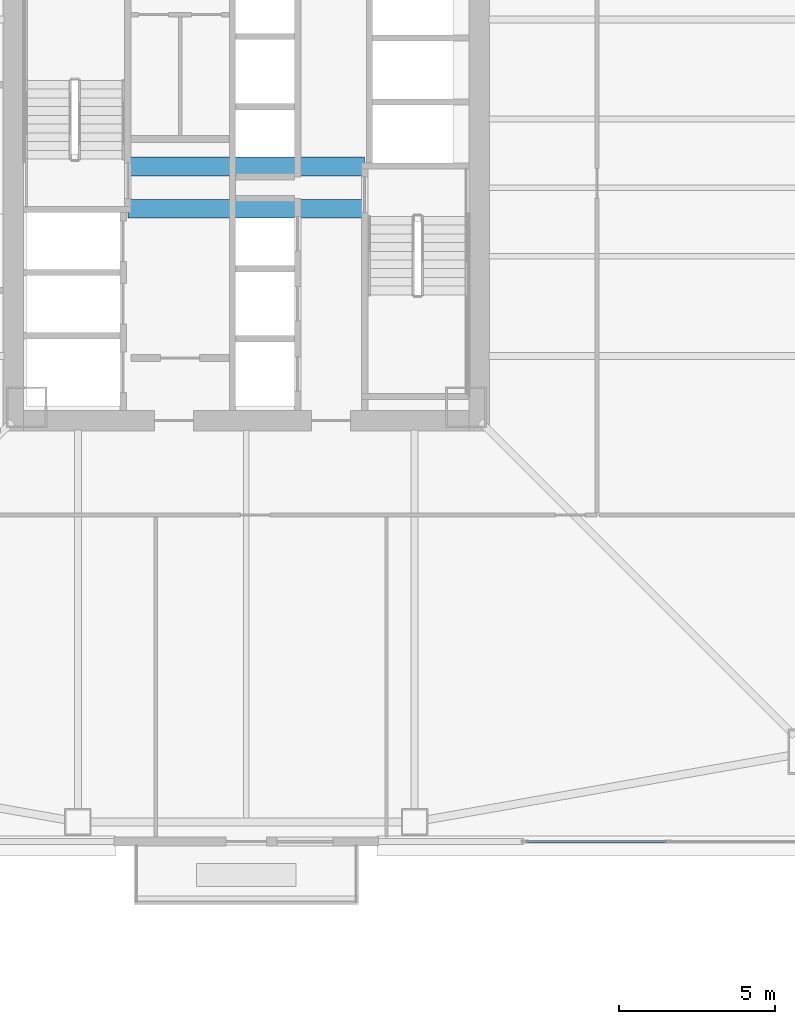
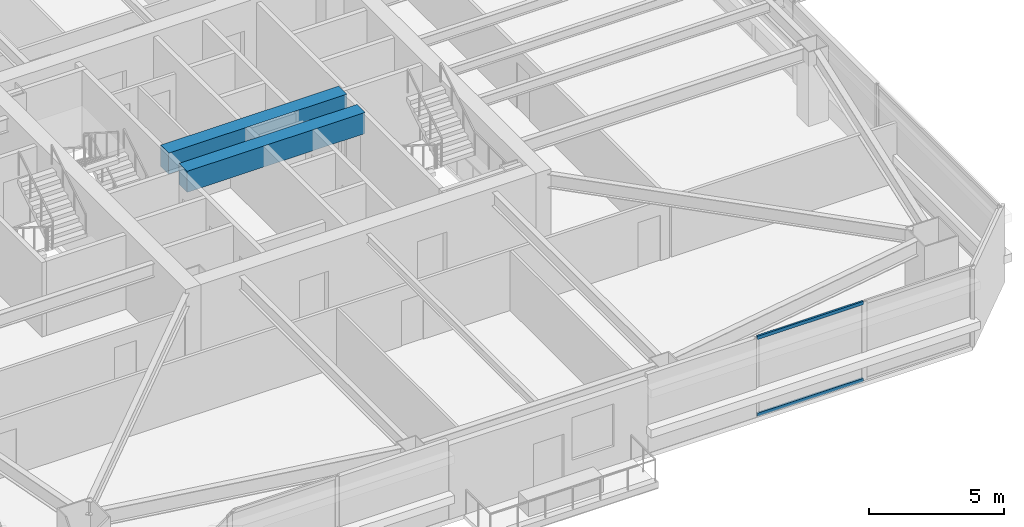
# One storey, part 7 of 44: 2 beams, 2 members, 1 element without a shape of its own.
"""IFC4 building model written with IfcOpenShell, lengths in metres."""

import ifcopenshell
import ifcopenshell.guid

model = None  # the IFC model being written
_history = None  # IfcOwnerHistory: only IFC2X3 demands one
_inside = {}  # id of a spatial element -> (the spatial element, [elements in it])
_under = {}  # id of a project, library or spatial element -> (it, [spatial elements below it])
_declared = {}  # id of a project -> (the project, [libraries it declares])
_typed = {}  # id of a type object -> (the type object, [elements of that type])
_made_of = {}  # id of a material, layer set ... -> (it, [elements and type objects made of it])


def new_model(schema):
    """Start an empty IFC model of exactly this schema.

    Asked for "IFC4X3", IfcOpenShell would pick the latest addendum, in which some entities
    have other attributes; the version numbers below select the first issue.
    IFC2X3 requires an IfcOwnerHistory on every rooted entity: one is made here for all.
    """
    global model, _history
    if schema == "IFC4X3":
        model = ifcopenshell.file(schema_version=(4, 3, 0, 0))
    else:
        model = ifcopenshell.file(schema=schema)
    _inside.clear()
    _under.clear()
    _declared.clear()
    _typed.clear()
    _made_of.clear()
    _history = None
    if model.schema == "IFC2X3":
        org = make("IfcOrganization", Name="unknown")
        user = make(
            "IfcPersonAndOrganization",
            ThePerson=make("IfcPerson", FamilyName="unknown"),
            TheOrganization=org,
        )
        app = make(
            "IfcApplication",
            ApplicationDeveloper=org,
            Version="unknown",
            ApplicationFullName="unknown",
            ApplicationIdentifier="unknown",
        )
        _history = make(
            "IfcOwnerHistory",
            OwningUser=user,
            OwningApplication=app,
            ChangeAction="ADDED",
            CreationDate=0,
        )
    return model


def make(cls, **values):
    """One entity of the class cls with the attributes given. An attribute that is None is left unset."""
    return model.create_entity(
        cls, **{name: value for name, value in values.items() if value is not None}
    )


def rooted(cls, **values):
    """An entity with a GlobalId (a new one), such as an element, a storey or a relation."""
    return make(cls, GlobalId=ifcopenshell.guid.new(), OwnerHistory=_history, **values)


def si_unit(unit_type, name, prefix=None):
    """IfcSIUnit, for example si_unit("LENGTHUNIT", "METRE", prefix="MILLI")."""
    return make("IfcSIUnit", UnitType=unit_type, Prefix=prefix, Name=name)


def assignment(units):
    """IfcUnitAssignment: the units of a project."""
    return None if units is None else make("IfcUnitAssignment", Units=units)


def point(xyz):
    """IfcCartesianPoint."""
    return None if xyz is None else make("IfcCartesianPoint", Coordinates=xyz)


def direction(xyz):
    """IfcDirection."""
    return None if xyz is None else make("IfcDirection", DirectionRatios=xyz)


def frame(location, z_axis=None, x_axis=None):
    """IfcAxis2Placement3D, a coordinate frame: its origin and axes. An axis left out is left unset."""
    return make(
        "IfcAxis2Placement3D",
        Location=point(location),
        Axis=direction(z_axis),
        RefDirection=direction(x_axis),
    )


def frame_2d(location, x_axis=None):
    """IfcAxis2Placement2D, a coordinate frame in the plane: its origin and x axis."""
    return make(
        "IfcAxis2Placement2D", Location=point(location), RefDirection=direction(x_axis)
    )


def origin():
    """The frame at (0, 0, 0) with its axes left unset."""
    return frame((0.0, 0.0, 0.0))


def origin_2d():
    """The frame at (0, 0) in the plane with its x axis left unset."""
    return frame_2d((0.0, 0.0))


def place(relative_to, where):
    """IfcLocalPlacement: puts the frame where relative to a parent placement (None: the world)."""
    return make(
        "IfcLocalPlacement", PlacementRelTo=relative_to, RelativePlacement=where
    )


def context(
    kind, dimensions, precision=None, world=None, true_north=None, identifier=None
):
    """IfcGeometricRepresentationContext, for example the 3D "Model" context."""
    return make(
        "IfcGeometricRepresentationContext",
        ContextIdentifier=identifier,
        ContextType=kind,
        CoordinateSpaceDimension=dimensions,
        Precision=precision,
        WorldCoordinateSystem=world,
        TrueNorth=true_north,
    )


def subcontext(parent, identifier, kind, view, scale=None):
    """IfcGeometricRepresentationSubContext, for example "Body" below "Model"."""
    return make(
        "IfcGeometricRepresentationSubContext",
        ContextIdentifier=identifier,
        ContextType=kind,
        ParentContext=parent,
        TargetScale=scale,
        TargetView=view,
    )


def project(units=None, contexts=None):
    """IfcProject with its units and contexts."""
    return rooted(
        "IfcProject",
        Name="project",
        RepresentationContexts=contexts,
        UnitsInContext=assignment(units),
    )


def spatial(cls, under=None, at=None, **own):
    """A site, building, storey or space (cls), placed at a placement, below another one or the project."""
    s = rooted(cls, ObjectPlacement=at, **own)
    if under is not None:
        _under.setdefault(under.id(), (under, []))[1].append(s)
    return s


def profile(cls, at=None, kind="AREA", **sizes):
    """A parametric profile (cls). Its sizes go by their IFC names, for example OverallWidth=200.0."""
    return make(cls, ProfileType=kind, Position=at, **sizes)


def rectangle(**sizes):
    """IfcRectangleProfileDef."""
    return profile("IfcRectangleProfileDef", **sizes)


def hollow_rectangle(**sizes):
    """IfcRectangleHollowProfileDef."""
    return profile("IfcRectangleHollowProfileDef", **sizes)


def extrude(swept, where, along, depth):
    """IfcExtrudedAreaSolid: the profile swept, set in the frame where, extruded along a direction by depth."""
    return make(
        "IfcExtrudedAreaSolid",
        SweptArea=swept,
        Position=where,
        ExtrudedDirection=direction(along),
        Depth=depth,
    )


def shape(context_of_items, identifier, shape_type, items):
    """IfcShapeRepresentation: the items that make up one representation, for example the "Body"."""
    return make(
        "IfcShapeRepresentation",
        ContextOfItems=context_of_items,
        RepresentationIdentifier=identifier,
        RepresentationType=shape_type,
        Items=items,
    )


def material(Name=None, Category=None):
    """IfcMaterial."""
    return make("IfcMaterial", Name=Name, Category=Category)


def material_profile(
    of_material, cross_section, Name=None, Category=None, Priority=None
):
    """IfcMaterialProfile: a cross section and its material."""
    return make(
        "IfcMaterialProfile",
        Name=Name,
        Material=of_material,
        Profile=cross_section,
        Priority=Priority,
        Category=Category,
    )


def profile_set(profiles, Name=None, composite=None):
    """IfcMaterialProfileSet."""
    return make(
        "IfcMaterialProfileSet",
        Name=Name,
        MaterialProfiles=profiles,
        CompositeProfile=composite,
    )


def made_of(thing, what):
    """Note that an element or type object is made of a material, layer set ...; save() writes the relation."""
    if what is not None:
        _made_of.setdefault(what.id(), (what, []))[1].append(thing)
    return thing


def type_object(cls, material=None, **own):
    """A type object (cls), such as IfcWallType, which elements share."""
    return made_of(rooted(cls, **own), material)


def element(
    cls,
    number,
    at=None,
    inside=None,
    cuts=None,
    type_object=None,
    material=None,
    context=None,
    identifier="Body",
    shape_type=None,
    held_by="IfcProductDefinitionShape",
    body=None,
    shapes=None,
    **own,
):
    """One element of the class cls, such as IfcWall. Its Tag is "e" and its number.

    at: its placement. inside: the storey or other place that contains it. cuts: it is an
    opening in that element (IfcRelVoidsElement). A single representation is given by context,
    identifier, shape_type and body (its items); several are given by shapes. held_by: the class
    of the entity that holds the representations. save() writes the other relations.
    """
    e = rooted(cls, Tag="e%d" % number, ObjectPlacement=at, **own)
    if body is not None:
        shapes = [shape(context, identifier, shape_type, body)]
    if shapes is not None:
        e.Representation = make(held_by, Representations=shapes)
    if inside is not None:
        _inside.setdefault(inside.id(), (inside, []))[1].append(e)
    if cuts is not None:
        rooted(
            "IfcRelVoidsElement", RelatingBuildingElement=cuts, RelatedOpeningElement=e
        )
    if type_object is not None:
        _typed.setdefault(type_object.id(), (type_object, []))[1].append(e)
    return made_of(e, material)


def aggregate(whole, parts):
    """IfcRelAggregates: a whole, such as a stair, and the parts it consists of."""
    return rooted("IfcRelAggregates", RelatingObject=whole, RelatedObjects=parts)


def save(model, path):
    """Write the relations noted so far, then the file.

    IfcRelAggregates (storeys below a building ...), IfcRelContainedInSpatialStructure (elements
    in a storey), IfcRelDefinesByType, IfcRelAssociatesMaterial and IfcRelDeclares: one each for
    every whole, place, type object, material and project.
    """
    for whole, parts in _under.values():
        aggregate(whole, parts)
    for where, things in _inside.values():
        rooted(
            "IfcRelContainedInSpatialStructure",
            RelatedElements=things,
            RelatingStructure=where,
        )
    for kind, things in _typed.values():
        rooted("IfcRelDefinesByType", RelatedObjects=things, RelatingType=kind)
    for what, things in _made_of.values():
        rooted("IfcRelAssociatesMaterial", RelatedObjects=things, RelatingMaterial=what)
    for by, libraries in _declared.values():
        rooted("IfcRelDeclares", RelatingContext=by, RelatedDefinitions=libraries)
    model.write(path)


model = new_model("IFC4")

# Units and contexts
model_context = context("Model", 3, precision=1e-05, world=origin(), true_north=direction((0.0, 1.0)))
body_context = subcontext(model_context, "Body", "Model", "MODEL_VIEW")
ifc_project = project(units=[si_unit("LENGTHUNIT", "METRE"), si_unit("AREAUNIT", "SQUARE_METRE"), si_unit("VOLUMEUNIT", "CUBIC_METRE"), si_unit("PLANEANGLEUNIT", "RADIAN"), si_unit("MASSUNIT", "GRAM", prefix="KILO")], contexts=[model_context])

# Site, building, storey
site_placement = place(None, origin())
site = spatial("IfcSite", under=ifc_project, at=site_placement, CompositionType="ELEMENT")
building_placement = place(site_placement, origin())
building = spatial("IfcBuilding", under=site, at=building_placement, Name="Tashvorn Skyway Center", CompositionType="ELEMENT")
storey_placement = place(building_placement, frame((0.0, 0.0, 95.60009765625)))
storey = spatial("IfcBuildingStorey", under=building, at=storey_placement, Name="L25", CompositionType="ELEMENT", Elevation=95.60009765625)

# Beams
ifc_material_1 = material(Name="Concrete C60/75", Category="concrete")
ifc_material_profile_1 = material_profile(ifc_material_1, rectangle(XDim=0.60009765625, YDim=0.949951171875, at=origin_2d()), Name="RCB600x950")
ifc_profile_set_1 = profile_set([ifc_material_profile_1], Name="Concrete C60/75")
beam_type = type_object("IfcBeamType", Name="BM-LINTEL-RCB600x950", PredefinedType="LINTEL", material=ifc_profile_set_1)
for number, where, z_axis, x_axis, name in (
    (1, (38.199951171875, 32.679931640625, 2.875), (1.0, 0.0, 0.0), (0.0, 1.0, 0.0), "Tower 1 L25 Core Coupling Beam CN"),
    (2, (38.199951171875, 31.320068359375, 2.875), (1.0, 0.0, 0.0), (0.0, 1.0, 0.0), "Tower 1 L25 Core Coupling Beam CS"),
):
    element("IfcBeam", number, at=place(storey_placement, frame(where, z_axis=z_axis, x_axis=x_axis)), inside=storey, type_object=beam_type, Name=name, PredefinedType="LINTEL", context=body_context, shape_type="SweptSolid", body=[
        extrude(rectangle(XDim=0.60009765625, YDim=0.949951171875, at=origin_2d()), origin(), (0.0, 0.0, 1.0), 7.60009765625),
    ])

# Curtain wall, members
ifc_material_2 = material(Name="Thermally broken bronze-anodized aluminium 6063-T6", Category="aluminium")
curtain_wall_type = type_object("IfcCurtainWallType", Name="CW-CW-Z2", PredefinedType="NOTDEFINED", material=ifc_material_2)
curtain_wall_placement = place(storey_placement, origin())
curtain_wall = element("IfcCurtainWall", 3, at=curtain_wall_placement, inside=storey, type_object=curtain_wall_type, Name="Tower 1 L25 South Curtain Wall L Glazing Group 1", PredefinedType="NOTDEFINED")
ifc_material_profile_2 = material_profile(ifc_material_2, hollow_rectangle(XDim=0.080078125, YDim=0.14990234375, WallThickness=0.00439453125, at=origin_2d()), Name="ALU-TRAN-80x150")
ifc_profile_set_2 = profile_set([ifc_material_profile_2], Name="Thermally broken bronze-anodized aluminium 6063-T6")
member_type = type_object("IfcMemberType", Name="CWT-CW-Z2", PredefinedType="USERDEFINED", material=ifc_profile_set_2)
member_1_placement = place(storey_placement, frame((55.49658203125, 11.02001953125, 0.039794921875), z_axis=(-1.0, 0.0, 0.0), x_axis=(0.0, -1.0, 0.0)))
member_1 = element("IfcMember", 4, at=member_1_placement, type_object=member_type, Name="CW-Z2 transom 2.1", ObjectType="TRANSOM", PredefinedType="USERDEFINED", context=body_context, shape_type="SweptSolid", body=[
    extrude(hollow_rectangle(XDim=0.080078125, YDim=0.14990234375, WallThickness=0.00439453125, at=origin_2d()), origin(), (0.0, 0.0, 1.0), 4.523193359375),
])
member_2_placement = place(storey_placement, frame((55.49658203125, 11.02001953125, 3.510009765625), z_axis=(-1.0, 0.0, 0.0), x_axis=(0.0, -1.0, 0.0)))
member_2 = element("IfcMember", 5, at=member_2_placement, type_object=member_type, Name="CW-Z2 transom 2.2", ObjectType="TRANSOM", PredefinedType="USERDEFINED", context=body_context, shape_type="SweptSolid", body=[
    extrude(hollow_rectangle(XDim=0.080078125, YDim=0.14990234375, WallThickness=0.00439453125, at=origin_2d()), origin(), (0.0, 0.0, 1.0), 4.523193359375),
])
aggregate(curtain_wall, [member_1, member_2])

save(model, "model.ifc")
